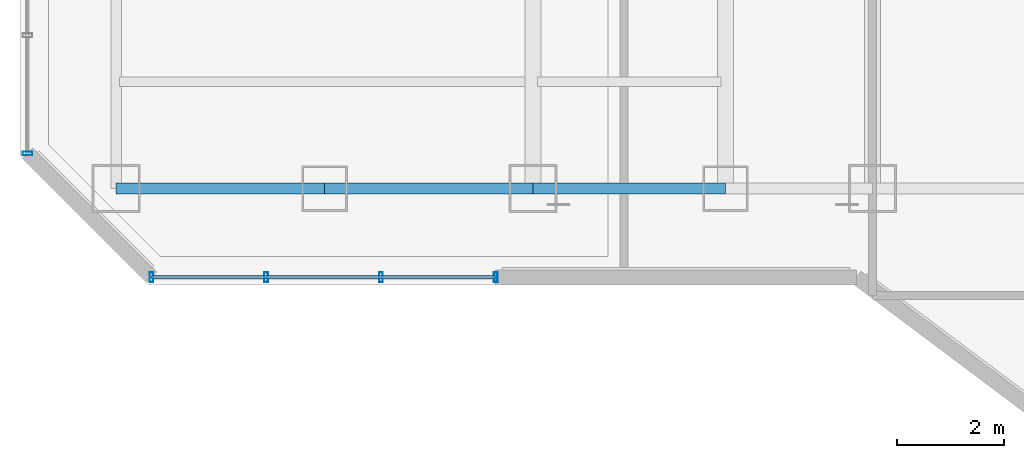
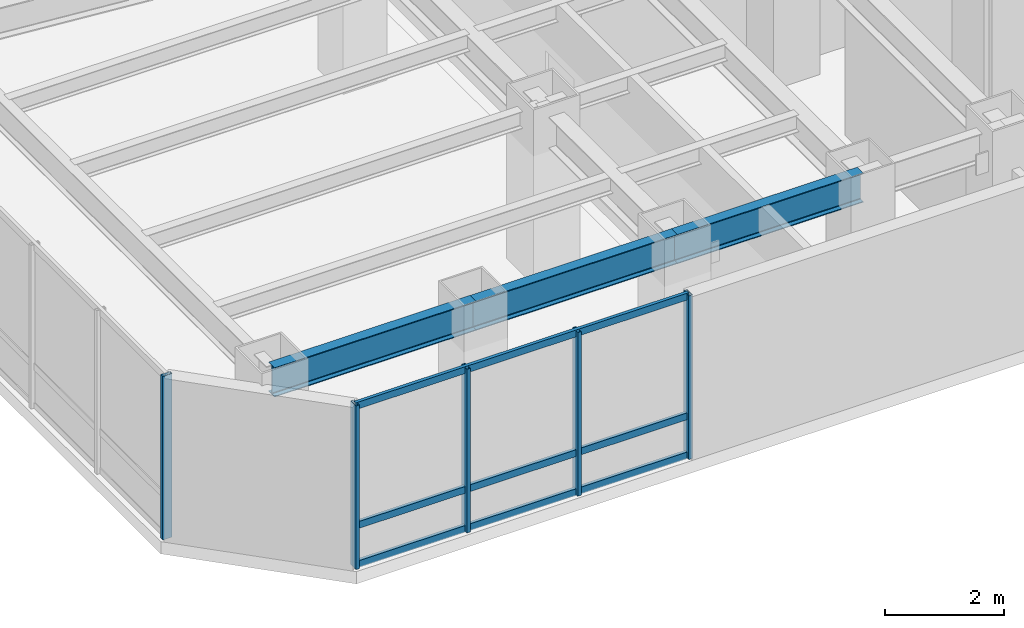
# One storey, part 2 of 29: 8 members, 3 beams, 2 elements without a shape of their own.
"""IFC4 building model written with IfcOpenShell, lengths in metres."""

from ifc_helpers import new_model, si_unit, direction, frame, origin, origin_2d, place, context, subcontext, project, spatial, hollow_rectangle, i_section, extrude, material, layer, layer_set, material_profile, profile_set, type_object, element, aggregate, save


model = new_model("IFC4")

# Units and contexts
model_context = context("Model", 3, precision=1e-05, world=origin(), true_north=direction((0.0, 1.0)))
body_context = subcontext(model_context, "Body", "Model", "MODEL_VIEW")
ifc_project = project(units=[si_unit("LENGTHUNIT", "METRE"), si_unit("AREAUNIT", "SQUARE_METRE"), si_unit("VOLUMEUNIT", "CUBIC_METRE"), si_unit("PLANEANGLEUNIT", "RADIAN"), si_unit("MASSUNIT", "GRAM", prefix="KILO")], contexts=[model_context])

# Site, building, storey
site_placement = place(None, origin())
site = spatial("IfcSite", under=ifc_project, at=site_placement, CompositionType="ELEMENT")
building_placement = place(site_placement, origin())
building = spatial("IfcBuilding", under=site, at=building_placement, Name="Hatsunagi Terrace Concourse", CompositionType="ELEMENT")
storey_placement = place(building_placement, frame((0.0, 0.0, 104.85009765625)))
storey = spatial("IfcBuildingStorey", under=building, at=storey_placement, Name="L27", CompositionType="ELEMENT", Elevation=104.85009765625)

# Curtain wall, members
ifc_material_1 = material(Name="Anodised Aluminium Alloy 6063-T5", Category="aluminium")
ifc_layer = layer(ifc_material_1, 0.199951171875)
ifc_layer_set = layer_set([ifc_layer], Name="OfficeZone1_CW03")
curtain_wall_type = type_object("IfcCurtainWallType", Name="OfficeZone1_CW03", PredefinedType="NOTDEFINED", material=ifc_layer_set)
curtain_wall_1_placement = place(storey_placement, origin())
curtain_wall_1 = element("IfcCurtainWall", 1, at=curtain_wall_1_placement, inside=storey, type_object=curtain_wall_type, Name="Unitised Curtain Wall CW-03 CW-L27-07", PredefinedType="NOTDEFINED")
ifc_material_2 = material(Name="Anodised Aluminium Alloy 6063-T5", Category="aluminium")
ifc_material_profile_1 = material_profile(ifc_material_2, hollow_rectangle(XDim=0.070068359375, YDim=0.179931640625, WallThickness=0.00390625, at=origin_2d()), Name="ALU-MUL-180x70x4")
ifc_profile_set_1 = profile_set([ifc_material_profile_1], Name="Anodised Aluminium Alloy 6063-T5")
member_type_1 = type_object("IfcMemberType", Name="CurtainWallMullion_180x70", PredefinedType="MULLION", material=ifc_profile_set_1)
member_1_placement = place(storey_placement, frame((18.5, 23.5400390625, 0.0), z_axis=(0.0, 0.0, 1.0), x_axis=(-1.0, 0.0, 0.0)))
member_1 = element("IfcMember", 2, at=member_1_placement, type_object=member_type_1, Name="Curtain Wall Mullion MUL-02", PredefinedType="MULLION", context=body_context, shape_type="SweptSolid", body=[
    extrude(hollow_rectangle(XDim=0.070068359375, YDim=0.179931640625, WallThickness=0.00390625, at=origin_2d()), origin(), (0.0, 0.0, 1.0), 3.349853515625),
])
member_2_placement = place(storey_placement, frame((16.35302734375, 23.5400390625, 0.0), z_axis=(0.0, 0.0, 1.0), x_axis=(-1.0, 0.0, 0.0)))
member_2 = element("IfcMember", 3, at=member_2_placement, type_object=member_type_1, Name="Curtain Wall Mullion MUL-02", PredefinedType="MULLION", context=body_context, shape_type="SweptSolid", body=[
    extrude(hollow_rectangle(XDim=0.070068359375, YDim=0.179931640625, WallThickness=0.00390625, at=origin_2d()), origin(), (0.0, 0.0, 1.0), 3.349853515625),
])
member_3_placement = place(storey_placement, frame((14.205078125, 23.5400390625, 0.0), z_axis=(0.0, 0.0, 1.0), x_axis=(-1.0, 0.0, 0.0)))
member_3 = element("IfcMember", 4, at=member_3_placement, type_object=member_type_1, Name="Curtain Wall Mullion MUL-02", PredefinedType="MULLION", context=body_context, shape_type="SweptSolid", body=[
    extrude(hollow_rectangle(XDim=0.070068359375, YDim=0.179931640625, WallThickness=0.00390625, at=origin_2d()), origin(), (0.0, 0.0, 1.0), 3.349853515625),
])
member_4_placement = place(storey_placement, frame((12.05810546875, 23.5400390625, 0.0), z_axis=(0.0, 0.0, 1.0), x_axis=(-1.0, 0.0, 0.0)))
member_4 = element("IfcMember", 5, at=member_4_placement, type_object=member_type_1, Name="Curtain Wall Mullion MUL-02", PredefinedType="MULLION", context=body_context, shape_type="SweptSolid", body=[
    extrude(hollow_rectangle(XDim=0.070068359375, YDim=0.179931640625, WallThickness=0.00390625, at=origin_2d()), origin(), (0.0, 0.0, 1.0), 3.349853515625),
])

# Curtain wall, member
curtain_wall_2_placement = place(storey_placement, origin())
curtain_wall_2 = element("IfcCurtainWall", 6, at=curtain_wall_2_placement, inside=storey, type_object=curtain_wall_type, Name="Unitised Curtain Wall CW-03 CW-L27-09", PredefinedType="NOTDEFINED")
member_5_placement = place(storey_placement, frame((9.739990234375, 25.85791015625, 0.0), z_axis=(0.0, 0.0, 1.0), x_axis=(0.0, 1.0, 0.0)))
member_5 = element("IfcMember", 7, at=member_5_placement, type_object=member_type_1, Name="Curtain Wall Mullion MUL-02", PredefinedType="MULLION", context=body_context, shape_type="SweptSolid", body=[
    extrude(hollow_rectangle(XDim=0.070068359375, YDim=0.179931640625, WallThickness=0.00390625, at=origin_2d()), origin(), (0.0, 0.0, 1.0), 3.349853515625),
])
aggregate(curtain_wall_2, [member_5])

# Member
ifc_material_3 = material(Name="Anodised Aluminium Alloy 6063-T5", Category="aluminium")
ifc_material_profile_2 = material_profile(ifc_material_3, hollow_rectangle(XDim=0.06494140625, YDim=0.139892578125, WallThickness=0.00390625, at=origin_2d()), Name="ALU-TRN-140x65x4")
ifc_profile_set_2 = profile_set([ifc_material_profile_2], Name="Anodised Aluminium Alloy 6063-T5")
member_type_2 = type_object("IfcMemberType", Name="CurtainWallTransom_140x65", PredefinedType="USERDEFINED", material=ifc_profile_set_2)
member_6_placement = place(storey_placement, frame((18.5, 23.5400390625, 0.0498046875), z_axis=(-1.0, 0.0, 0.0), x_axis=(0.0, -1.0, 0.0)))
member_6 = element("IfcMember", 8, at=member_6_placement, type_object=member_type_2, Name="Curtain Wall Transom TRN-02", ObjectType="TRANSOM", PredefinedType="USERDEFINED", context=body_context, shape_type="SweptSolid", body=[
    extrude(hollow_rectangle(XDim=0.06494140625, YDim=0.139892578125, WallThickness=0.00390625, at=origin_2d()), origin(), (0.0, 0.0, 1.0), 6.44189453125),
])

member_7_placement = place(storey_placement, frame((18.5, 23.5400390625, 0.849853515625), z_axis=(-1.0, 0.0, 0.0), x_axis=(0.0, -1.0, 0.0)))
member_7 = element("IfcMember", 9, at=member_7_placement, type_object=member_type_2, Name="Curtain Wall Transom TRN-02", ObjectType="TRANSOM", PredefinedType="USERDEFINED", context=body_context, shape_type="SweptSolid", body=[
    extrude(hollow_rectangle(XDim=0.06494140625, YDim=0.139892578125, WallThickness=0.00390625, at=origin_2d()), origin(), (0.0, 0.0, 1.0), 6.44189453125),
])

member_8_placement = place(storey_placement, frame((18.5, 23.5400390625, 3.2998046875), z_axis=(-1.0, 0.0, 0.0), x_axis=(0.0, -1.0, 0.0)))
member_8 = element("IfcMember", 10, at=member_8_placement, type_object=member_type_2, Name="Curtain Wall Transom TRN-02", ObjectType="TRANSOM", PredefinedType="USERDEFINED", context=body_context, shape_type="SweptSolid", body=[
    extrude(hollow_rectangle(XDim=0.06494140625, YDim=0.139892578125, WallThickness=0.00390625, at=origin_2d()), origin(), (0.0, 0.0, 1.0), 6.44189453125),
])

aggregate(curtain_wall_1, [member_1, member_2, member_3, member_4, member_6, member_7, member_8])

# Beams
ifc_material_4 = material(Name="Steel SN490B", Category="steel")
ifc_material_profile_3 = material_profile(ifc_material_4, i_section(OverallWidth=0.199951171875, OverallDepth=0.60009765625, WebThickness=0.010986328125, FlangeThickness=0.01708984375, FilletRadius=0.01806640625, at=origin_2d()), Name="H-600x200x11x17")
ifc_profile_set_3 = profile_set([ifc_material_profile_3], Name="Steel SN490B")
beam_type = type_object("IfcBeamType", Name="PerimeterSpandrel_H_600x200", PredefinedType="SPANDREL", material=ifc_profile_set_3)
beam_1_placement = place(storey_placement, frame((11.39990234375, 25.199951171875, 3.0498046875), z_axis=(1.0, 0.0, 0.0), x_axis=(0.0, 1.0, 0.0)))
element("IfcBeam", 11, at=beam_1_placement, inside=storey, type_object=beam_type, Name="Beam SP-01 BM-L27-WS-11", PredefinedType="SPANDREL", context=body_context, shape_type="SweptSolid", body=[
    extrude(i_section(OverallWidth=0.199951171875, OverallDepth=0.60009765625, WebThickness=0.010986328125, FlangeThickness=0.01708984375, FilletRadius=0.01806640625, at=origin_2d()), origin(), (0.0, 0.0, 1.0), 3.900146484375),
])
beam_2_placement = place(storey_placement, frame((15.300048828125, 25.199951171875, 3.0498046875), z_axis=(1.0, 0.0, 0.0), x_axis=(0.0, 1.0, 0.0)))
element("IfcBeam", 12, at=beam_2_placement, inside=storey, type_object=beam_type, Name="Beam SP-01 BM-L27-WS-15", PredefinedType="SPANDREL", context=body_context, shape_type="SweptSolid", body=[
    extrude(i_section(OverallWidth=0.199951171875, OverallDepth=0.60009765625, WebThickness=0.010986328125, FlangeThickness=0.01708984375, FilletRadius=0.01806640625, at=origin_2d()), origin(), (0.0, 0.0, 1.0), 3.89990234375),
])
beam_3_placement = place(storey_placement, frame((19.199951171875, 25.199951171875, 3.0498046875), z_axis=(1.0, 0.0, 0.0), x_axis=(0.0, 1.0, 0.0)))
element("IfcBeam", 13, at=beam_3_placement, inside=storey, type_object=beam_type, Name="Beam SP-01 BM-L27-WS-19", PredefinedType="SPANDREL", context=body_context, shape_type="SweptSolid", body=[
    extrude(i_section(OverallWidth=0.199951171875, OverallDepth=0.60009765625, WebThickness=0.010986328125, FlangeThickness=0.01708984375, FilletRadius=0.01806640625, at=origin_2d()), origin(), (0.0, 0.0, 1.0), 3.60009765625),
])

save(model, "model.ifc")
